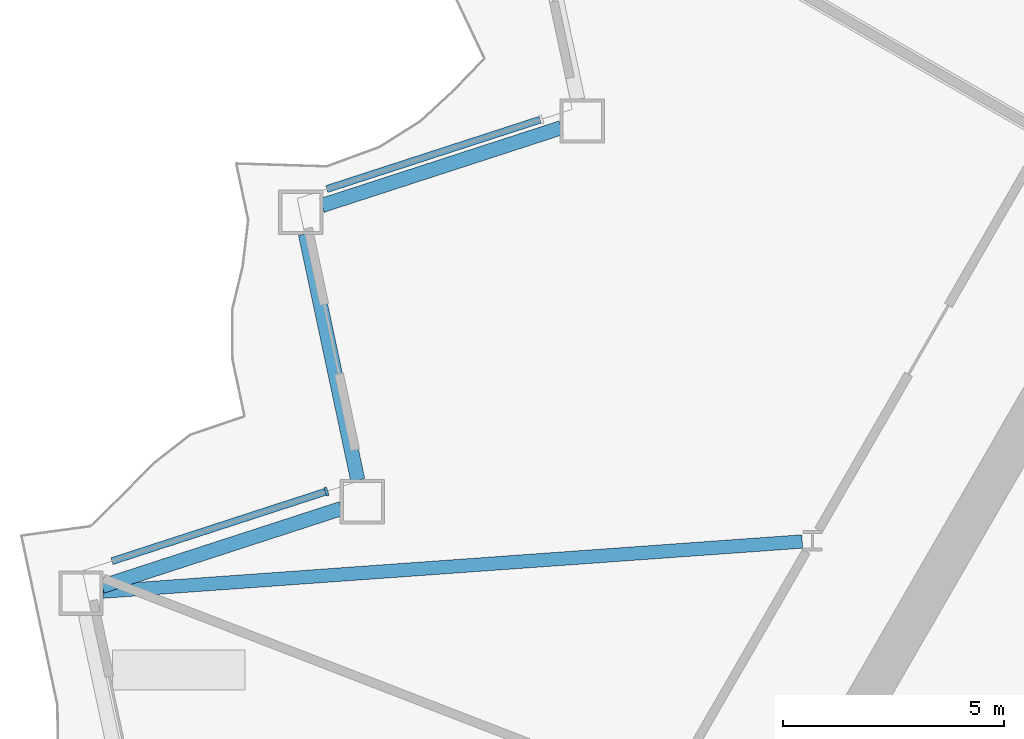
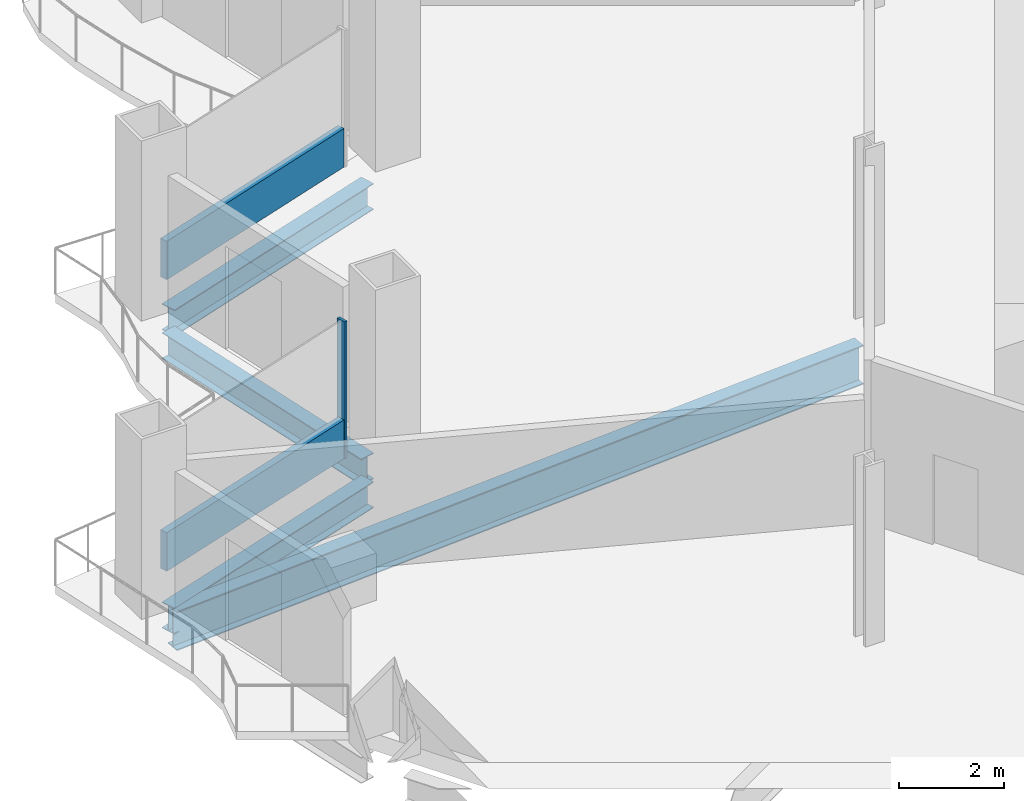
# One storey, part 3 of 21: 4 beams, 3 members, 2 elements without a shape of their own.
"""IFC4 building model written with IfcOpenShell, lengths in metres."""

from ifc_helpers import new_model, si_unit, direction, frame, origin, origin_2d, place, context, subcontext, project, spatial, rectangle, i_section, extrude, material, layer, layer_set, material_profile, profile_set, type_object, element, aggregate, save


model = new_model("IFC4")

# Units and contexts
model_context = context("Model", 3, precision=1e-05, world=origin(), true_north=direction((0.0, 1.0)))
body_context = subcontext(model_context, "Body", "Model", "MODEL_VIEW")
ifc_project = project(units=[si_unit("LENGTHUNIT", "METRE"), si_unit("AREAUNIT", "SQUARE_METRE"), si_unit("VOLUMEUNIT", "CUBIC_METRE"), si_unit("PLANEANGLEUNIT", "RADIAN"), si_unit("MASSUNIT", "GRAM", prefix="KILO")], contexts=[model_context])

# Site, building, storey
site_placement = place(None, origin())
site = spatial("IfcSite", under=ifc_project, at=site_placement, CompositionType="ELEMENT")
building_placement = place(site_placement, origin())
building = spatial("IfcBuilding", under=site, at=building_placement, Name="Cormorant Prow Tower", CompositionType="ELEMENT")
storey_placement = place(building_placement, frame((0.0, 0.0, 51.0)))
storey = spatial("IfcBuildingStorey", under=building, at=storey_placement, Name="L10", CompositionType="ELEMENT", Elevation=51.0)

# Curtain wall, member
ifc_material_1 = material(Name="Aluminium 6063-T6", Category="aluminium")
ifc_layer = layer(ifc_material_1, 0.199951171875)
ifc_layer_set = layer_set([ifc_layer], Name="Aluminium 6063-T6")
curtain_wall_type = type_object("IfcCurtainWallType", Name="Office unitised curtain wall 200", PredefinedType="NOTDEFINED", material=ifc_layer_set)
curtain_wall_1_placement = place(storey_placement, origin())
curtain_wall_1 = element("IfcCurtainWall", 1, at=curtain_wall_1_placement, inside=storey, type_object=curtain_wall_type, Name="Office curtain wall WNW08", PredefinedType="NOTDEFINED")
ifc_material_2 = material(Name="Aluminium 6063-T6", Category="aluminium")
ifc_material_profile_1 = material_profile(ifc_material_2, rectangle(XDim=0.199951171875, YDim=0.06005859375, at=origin_2d()), Name="Office mullion 60x200")
ifc_profile_set_1 = profile_set([ifc_material_profile_1], Name="Aluminium 6063-T6")
member_type_1 = type_object("IfcMemberType", Name="Office mullion 60x200", PredefinedType="MULLION", material=ifc_profile_set_1)
member_1_placement = place(storey_placement, frame((-26.844482421875, -1.9404296875, 0.0), z_axis=(0.0, 0.0, 1.0), x_axis=(0.309016892008, -0.951056549556, 0.0)))
member_1 = element("IfcMember", 2, at=member_1_placement, type_object=member_type_1, Name="Office mullion WNW08", PredefinedType="MULLION", context=body_context, shape_type="SweptSolid", body=[
    extrude(rectangle(XDim=0.199951171875, YDim=0.06005859375, at=origin_2d()), origin(), (0.0, 0.0, 1.0), 3.18896484375),
])

curtain_wall_2_placement = place(storey_placement, origin())
curtain_wall_2 = element("IfcCurtainWall", 3, at=curtain_wall_2_placement, inside=storey, type_object=curtain_wall_type, Name="Office curtain wall WNW06", PredefinedType="NOTDEFINED")
ifc_material_3 = material(Name="Terracotta", Category="masonry")
ifc_material_profile_2 = material_profile(ifc_material_3, rectangle(XDim=0.159912109375, YDim=0.89990234375, at=origin_2d()), Name="Office terracotta spandrel rail 160x900")
ifc_profile_set_2 = profile_set([ifc_material_profile_2], Name="Terracotta")
member_type_2 = type_object("IfcMemberType", Name="Office terracotta spandrel rail 160x900", PredefinedType="USERDEFINED", material=ifc_profile_set_2)
member_2_placement = place(storey_placement, frame((-22.020263671875, 6.455322265625, 0.449951171875), z_axis=(-0.951052135892, -0.309030475545, 0.0), x_axis=(0.309030475545, -0.951052135892, 0.0)))
member_2 = element("IfcMember", 4, at=member_2_placement, type_object=member_type_2, Name="Office spandrel rail WNW06", ObjectType="TRANSOM", PredefinedType="USERDEFINED", context=body_context, shape_type="SweptSolid", body=[
    extrude(rectangle(XDim=0.159912109375, YDim=0.89990234375, at=origin_2d()), origin(), (0.0, 0.0, 1.0), 5.06396484375),
])
aggregate(curtain_wall_2, [member_2])

# Member
member_3_placement = place(storey_placement, frame((-26.873046875, -1.94970703125, 0.449951171875), z_axis=(-0.951047531463, -0.309044645477, 0.0), x_axis=(0.309044645477, -0.951047531463, 0.0)))
member_3 = element("IfcMember", 5, at=member_3_placement, type_object=member_type_2, Name="Office spandrel rail WNW08", ObjectType="TRANSOM", PredefinedType="USERDEFINED", context=body_context, shape_type="SweptSolid", body=[
    extrude(rectangle(XDim=0.159912109375, YDim=0.89990234375, at=origin_2d()), origin(), (0.0, 0.0, 1.0), 5.063720703125),
])

aggregate(curtain_wall_1, [member_1, member_3])

# Beams
ifc_material_4 = material(Name="Structural steel ASTM A992 Gr 50", Category="steel")
ifc_material_profile_3 = material_profile(ifc_material_4, i_section(OverallWidth=0.3046875, OverallDepth=0.914794921875, WebThickness=0.0166015625, FlangeThickness=0.02587890625, at=origin_2d()), Name="W36x160")
ifc_profile_set_3 = profile_set([ifc_material_profile_3], Name="Structural steel ASTM A992 Gr 50")
beam_type_1 = type_object("IfcBeamType", Name="Radial floor beam W36x160", PredefinedType="BEAM", material=ifc_profile_set_3)
beam_1_placement = place(storey_placement, frame((-16.099365234375, -3.0703125, -0.857421875), z_axis=(-0.997443412532, -0.071460750045, 0.0), x_axis=(0.071460750045, -0.997443412532, 0.0)))
element("IfcBeam", 6, at=beam_1_placement, inside=storey, type_object=beam_type_1, Name="Radial floor beam FB1 4 L10", PredefinedType="BEAM", context=body_context, shape_type="SweptSolid", body=[
    extrude(i_section(OverallWidth=0.3046875, OverallDepth=0.914794921875, WebThickness=0.0166015625, FlangeThickness=0.02587890625, at=origin_2d()), origin(), (0.0, 0.0, 1.0), 15.831787109375),
])
ifc_material_5 = material(Name="Structural steel ASTM A992 Gr 50", Category="steel")
ifc_material_profile_4 = material_profile(ifc_material_5, i_section(OverallWidth=0.32373046875, OverallDepth=0.611083984375, WebThickness=0.0126953125, FlangeThickness=0.01904296875, at=origin_2d()), Name="W24x104")
ifc_profile_set_4 = profile_set([ifc_material_profile_4], Name="Structural steel ASTM A992 Gr 50")
beam_type_2 = type_object("IfcBeamType", Name="Spandrel beam W24x104", PredefinedType="SPANDREL", material=ifc_profile_set_4)
beam_2_placement = place(storey_placement, frame((-21.54345703125, 6.274658203125, -0.70556640625), z_axis=(-0.951061849722, -0.309000579292, 0.0), x_axis=(0.309000579292, -0.951061849722, 0.0)))
element("IfcBeam", 7, at=beam_2_placement, inside=storey, type_object=beam_type_2, Name="Spandrel beam SB1 WNW06-WNW07 L10", PredefinedType="SPANDREL", context=body_context, shape_type="SweptSolid", body=[
    extrude(i_section(OverallWidth=0.32373046875, OverallDepth=0.611083984375, WebThickness=0.0126953125, FlangeThickness=0.01904296875, at=origin_2d()), origin(), (0.0, 0.0, 1.0), 5.682373046875),
])
beam_3_placement = place(storey_placement, frame((-27.3193359375, 3.875244140625, -0.70556640625), z_axis=(0.207900376723, -0.97815000555, 0.0), x_axis=(0.97815000555, 0.207900376723, 0.0)))
element("IfcBeam", 8, at=beam_3_placement, inside=storey, type_object=beam_type_2, Name="Spandrel beam SB1 WNW07-WNW08 L10", PredefinedType="SPANDREL", context=body_context, shape_type="SweptSolid", body=[
    extrude(i_section(OverallWidth=0.32373046875, OverallDepth=0.611083984375, WebThickness=0.0126953125, FlangeThickness=0.01904296875, at=origin_2d()), origin(), (0.0, 0.0, 1.0), 5.6826171875),
])
beam_4_placement = place(storey_placement, frame((-26.509521484375, -2.32666015625, -0.70556640625), z_axis=(-0.951049222751, -0.309039440696, 0.0), x_axis=(0.309039440696, -0.951049222751, 0.0)))
element("IfcBeam", 9, at=beam_4_placement, inside=storey, type_object=beam_type_2, Name="Spandrel beam SB1 WNW08-WNW09 L10", PredefinedType="SPANDREL", context=body_context, shape_type="SweptSolid", body=[
    extrude(i_section(OverallWidth=0.32373046875, OverallDepth=0.611083984375, WebThickness=0.0126953125, FlangeThickness=0.01904296875, at=origin_2d()), origin(), (0.0, 0.0, 1.0), 5.682373046875),
])

save(model, "model.ifc")
